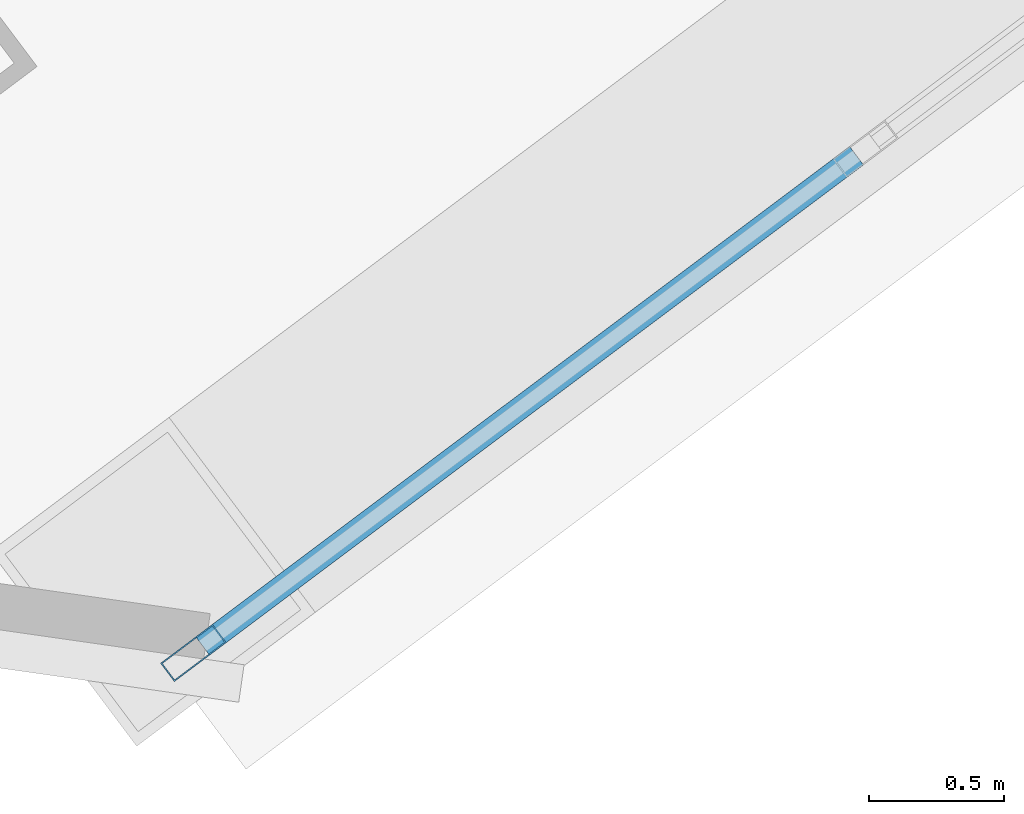
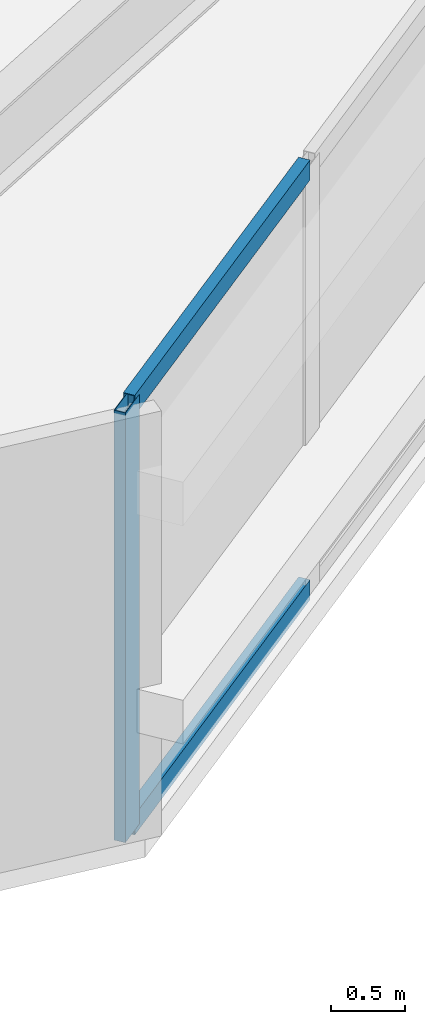
# One storey, part 32 of 75: 3 members, 1 element without a shape of its own.
"""IFC4 building model written with IfcOpenShell, lengths in metres."""

from ifc_helpers import new_model, si_unit, direction, frame, origin, origin_2d, place, context, subcontext, project, spatial, hollow_rectangle, extrude, material, material_profile, profile_set, type_object, element, aggregate, save


model = new_model("IFC4")

# Units and contexts
model_context = context("Model", 3, precision=1e-05, world=origin(), true_north=direction((0.0, 1.0)))
body_context = subcontext(model_context, "Body", "Model", "MODEL_VIEW")
ifc_project = project(units=[si_unit("LENGTHUNIT", "METRE"), si_unit("AREAUNIT", "SQUARE_METRE"), si_unit("VOLUMEUNIT", "CUBIC_METRE"), si_unit("PLANEANGLEUNIT", "RADIAN"), si_unit("MASSUNIT", "GRAM", prefix="KILO")], contexts=[model_context])

# Site, building, storey
site_placement = place(None, origin())
site = spatial("IfcSite", under=ifc_project, at=site_placement, CompositionType="ELEMENT")
building_placement = place(site_placement, origin())
building = spatial("IfcBuilding", under=site, at=building_placement, Name="Tashvorn Skyway Center", CompositionType="ELEMENT")
storey_placement = place(building_placement, frame((0.0, 0.0, 45.89990234375)))
storey = spatial("IfcBuildingStorey", under=building, at=storey_placement, Name="L11", CompositionType="ELEMENT", Elevation=45.89990234375)

# Curtain wall, members
ifc_material = material(Name="Thermally broken bronze-anodized aluminium 6063-T6", Category="aluminium")
curtain_wall_type = type_object("IfcCurtainWallType", Name="CW-CW-Z1", PredefinedType="NOTDEFINED", material=ifc_material)
curtain_wall_placement = place(storey_placement, origin())
curtain_wall = element("IfcCurtainWall", 1, at=curtain_wall_placement, inside=storey, type_object=curtain_wall_type, Name="Tower 2 L11 South Unitised Curtain Wall Glazing Group 3", PredefinedType="NOTDEFINED")
ifc_material_profile_1 = material_profile(ifc_material, hollow_rectangle(XDim=0.0849609375, YDim=0.239990234375, WallThickness=0.0048828125, at=origin_2d()), Name="ALU-MULL-85x240")
ifc_profile_set_1 = profile_set([ifc_material_profile_1], Name="Thermally broken bronze-anodized aluminium 6063-T6")
member_type_1 = type_object("IfcMemberType", Name="CWM-CW-Z1", PredefinedType="MULLION", material=ifc_profile_set_1)
member_1_placement = place(storey_placement, frame((111.93798828125, 3.353515625, 0.0), z_axis=(0.0, 0.0, 1.0), x_axis=(0.599997457641, -0.800001906763, 0.0)))
member_1 = element("IfcMember", 2, at=member_1_placement, type_object=member_type_1, Name="CW-Z1 mullion 3", PredefinedType="MULLION", context=body_context, shape_type="SweptSolid", body=[
    extrude(hollow_rectangle(XDim=0.0849609375, YDim=0.239990234375, WallThickness=0.0048828125, at=origin_2d()), origin(), (0.0, 0.0, 1.0), 3.550048828125),
])
ifc_material_profile_2 = material_profile(ifc_material, hollow_rectangle(XDim=0.0849609375, YDim=0.1650390625, WallThickness=0.0048828125, at=origin_2d()), Name="ALU-TRAN-85x165")
ifc_profile_set_2 = profile_set([ifc_material_profile_2], Name="Thermally broken bronze-anodized aluminium 6063-T6")
member_type_2 = type_object("IfcMemberType", Name="CWT-CW-Z1", PredefinedType="USERDEFINED", material=ifc_profile_set_2)
member_2_placement = place(storey_placement, frame((114.387451171875, 5.1904296875, 0.04248046875), z_axis=(-0.800019405753, -0.599974124791, 0.0), x_axis=(0.599974124791, -0.800019405753, 0.0)))
member_2 = element("IfcMember", 3, at=member_2_placement, type_object=member_type_2, Name="CW-Z1 transom 2.1", ObjectType="TRANSOM", PredefinedType="USERDEFINED", context=body_context, shape_type="SweptSolid", body=[
    extrude(hollow_rectangle(XDim=0.0849609375, YDim=0.1650390625, WallThickness=0.0048828125, at=origin_2d()), origin(), (0.0, 0.0, 1.0), 3.019287109375),
])
member_3_placement = place(storey_placement, frame((114.387451171875, 5.1904296875, 3.507568359375), z_axis=(-0.800019405753, -0.599974124791, 0.0), x_axis=(0.599974124791, -0.800019405753, 0.0)))
member_3 = element("IfcMember", 4, at=member_3_placement, type_object=member_type_2, Name="CW-Z1 transom 2.2", ObjectType="TRANSOM", PredefinedType="USERDEFINED", context=body_context, shape_type="SweptSolid", body=[
    extrude(hollow_rectangle(XDim=0.0849609375, YDim=0.1650390625, WallThickness=0.0048828125, at=origin_2d()), origin(), (0.0, 0.0, 1.0), 3.019287109375),
])
aggregate(curtain_wall, [member_1, member_2, member_3])

save(model, "model.ifc")
